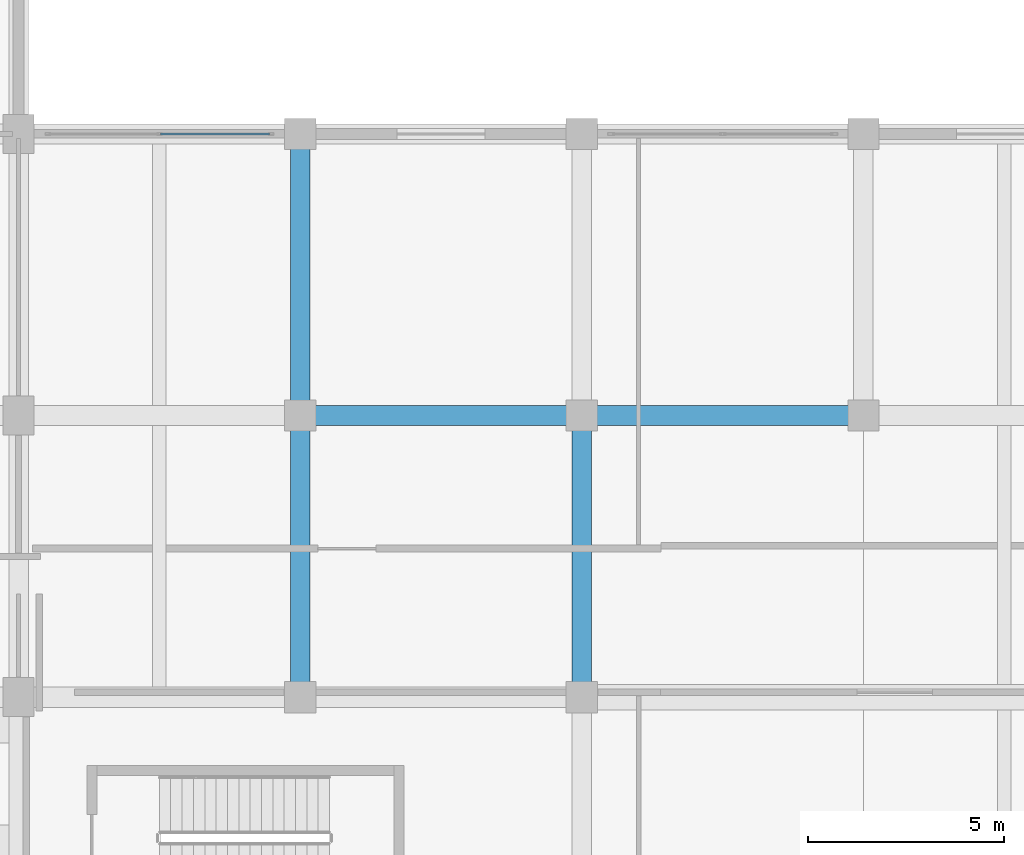
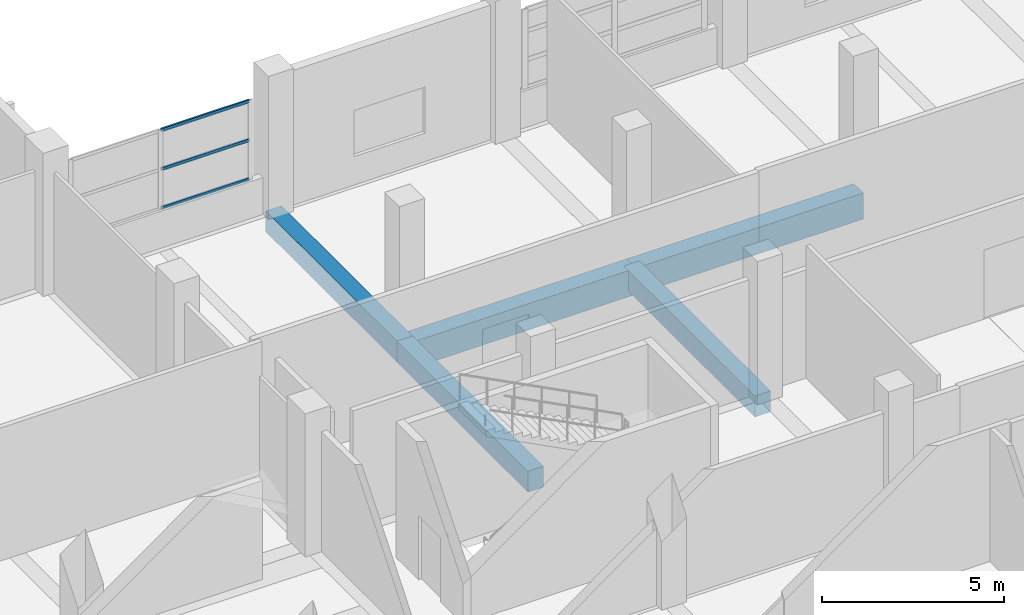
# One storey, part 13 of 140: 5 beams, 3 members, 1 element without a shape of its own.
"""IFC4 building model written with IfcOpenShell, lengths in metres."""

from ifc_helpers import new_model, si_unit, direction, frame, origin, origin_2d, place, context, subcontext, project, spatial, rectangle, hollow_rectangle, extrude, material, layer, layer_set, material_profile, profile_set, type_object, element, aggregate, save


model = new_model("IFC4")

# Units and contexts
model_context = context("Model", 3, precision=1e-05, world=origin(), true_north=direction((0.0, 1.0)))
body_context = subcontext(model_context, "Body", "Model", "MODEL_VIEW")
ifc_project = project(units=[si_unit("LENGTHUNIT", "METRE"), si_unit("AREAUNIT", "SQUARE_METRE"), si_unit("VOLUMEUNIT", "CUBIC_METRE"), si_unit("PLANEANGLEUNIT", "RADIAN"), si_unit("MASSUNIT", "GRAM", prefix="KILO")], contexts=[model_context])

# Site, building, storey
site_placement = place(None, origin())
site = spatial("IfcSite", under=ifc_project, at=site_placement, CompositionType="ELEMENT")
building_placement = place(site_placement, origin())
building = spatial("IfcBuilding", under=site, at=building_placement, Name="Seraya Terrace Polytechnic", CompositionType="ELEMENT")
storey_placement = place(building_placement, frame((0.0, 0.0, 9.60009765625)))
storey = spatial("IfcBuildingStorey", under=building, at=storey_placement, Name="L02", CompositionType="ELEMENT", Elevation=9.60009765625)

# Beams
ifc_material_1 = material(Name="Concrete C40/50", Category="concrete")
ifc_material_profile_1 = material_profile(ifc_material_1, rectangle(XDim=0.52001953125, YDim=0.8798828125, at=origin_2d()), Name="RC 520x880")
ifc_profile_set_1 = profile_set([ifc_material_profile_1], Name="Concrete C40/50")
beam_type_1 = type_object("IfcBeamType", Name="BM-04", PredefinedType="BEAM", material=ifc_profile_set_1)
beam_1_placement = place(storey_placement, frame((50.39990234375, 21.60009765625, -0.440185546875), z_axis=(1.0, 0.0, 0.0), x_axis=(0.0, 1.0, 0.0)))
element("IfcBeam", 1, at=beam_1_placement, inside=storey, type_object=beam_type_1, Name="Beam BM-04 L02 X (50.4..57.6, 21.6)", PredefinedType="BEAM", context=body_context, shape_type="SweptSolid", body=[
    extrude(rectangle(XDim=0.52001953125, YDim=0.8798828125, at=origin_2d()), origin(), (0.0, 0.0, 1.0), 7.2001953125),
])
beam_2_placement = place(storey_placement, frame((57.60009765625, 21.60009765625, -0.440185546875), z_axis=(1.0, 0.0, 0.0), x_axis=(0.0, 1.0, 0.0)))
element("IfcBeam", 2, at=beam_2_placement, inside=storey, type_object=beam_type_1, Name="Beam BM-04 L02 X (57.6..64.8, 21.6)", PredefinedType="BEAM", context=body_context, shape_type="SweptSolid", body=[
    extrude(rectangle(XDim=0.52001953125, YDim=0.8798828125, at=origin_2d()), origin(), (0.0, 0.0, 1.0), 7.199951171875),
])
ifc_material_profile_2 = material_profile(ifc_material_1, rectangle(XDim=0.5, YDim=0.699951171875, at=origin_2d()), Name="RC 500x700")
ifc_profile_set_2 = profile_set([ifc_material_profile_2], Name="Concrete C40/50")
beam_type_2 = type_object("IfcBeamType", Name="BM-07", PredefinedType="BEAM", material=ifc_profile_set_2)
beam_3_placement = place(storey_placement, frame((50.39990234375, 14.39990234375, -0.35009765625), z_axis=(0.0, 1.0, 0.0), x_axis=(-1.0, 0.0, 0.0)))
element("IfcBeam", 3, at=beam_3_placement, inside=storey, type_object=beam_type_2, Name="Beam BM-07 L02 Y (50.4, 14.4..21.6)", PredefinedType="BEAM", context=body_context, shape_type="SweptSolid", body=[
    extrude(rectangle(XDim=0.5, YDim=0.699951171875, at=origin_2d()), origin(), (0.0, 0.0, 1.0), 7.2001953125),
])
beam_4_placement = place(storey_placement, frame((50.39990234375, 21.60009765625, -0.35009765625), z_axis=(0.0, 1.0, 0.0), x_axis=(-1.0, 0.0, 0.0)))
element("IfcBeam", 4, at=beam_4_placement, inside=storey, type_object=beam_type_2, Name="Beam BM-07 L02 Y (50.4, 21.6..28.8)", PredefinedType="BEAM", context=body_context, shape_type="SweptSolid", body=[
    extrude(rectangle(XDim=0.5, YDim=0.699951171875, at=origin_2d()), origin(), (0.0, 0.0, 1.0), 7.199951171875),
])
beam_5_placement = place(storey_placement, frame((57.60009765625, 14.39990234375, -0.35009765625), z_axis=(0.0, 1.0, 0.0), x_axis=(-1.0, 0.0, 0.0)))
element("IfcBeam", 5, at=beam_5_placement, inside=storey, type_object=beam_type_2, Name="Beam BM-07 L02 Y (57.6, 14.4..21.6)", PredefinedType="BEAM", context=body_context, shape_type="SweptSolid", body=[
    extrude(rectangle(XDim=0.5, YDim=0.699951171875, at=origin_2d()), origin(), (0.0, 0.0, 1.0), 7.2001953125),
])

# Curtain wall, members
ifc_material_2 = material(Name="Anodised aluminium EN AW-6063 T6", Category="aluminium")
ifc_layer = layer(ifc_material_2, 0.179931640625, Name="CW-06")
ifc_layer_set = layer_set([ifc_layer], Name="Anodised aluminium EN AW-6063 T6")
curtain_wall_type = type_object("IfcCurtainWallType", Name="CW-06", PredefinedType="NOTDEFINED", material=ifc_layer_set)
curtain_wall_placement = place(storey_placement, origin())
curtain_wall = element("IfcCurtainWall", 6, at=curtain_wall_placement, inside=storey, type_object=curtain_wall_type, Name="Unitised curtain wall CW-06 (CW-L02-078)", PredefinedType="NOTDEFINED")
ifc_material_profile_3 = material_profile(ifc_material_2, hollow_rectangle(XDim=0.054931640625, YDim=0.10009765625, WallThickness=0.0029296875, at=origin_2d()), Name="RHS 100x55x3.0")
ifc_profile_set_3 = profile_set([ifc_material_profile_3], Name="Anodised aluminium EN AW-6063 T6")
member_type = type_object("IfcMemberType", Name="CWT-03", PredefinedType="USERDEFINED", material=ifc_profile_set_3)
member_1_placement = place(storey_placement, frame((46.830078125, 28.800048828125, 1.267333984375), z_axis=(1.0, 0.0, 0.0), x_axis=(0.0, 1.0, 0.0)))
member_1 = element("IfcMember", 7, at=member_1_placement, type_object=member_type, Name="CW-06 transom 2.1", ObjectType="TRANSOM", PredefinedType="USERDEFINED", context=body_context, shape_type="SweptSolid", body=[
    extrude(hollow_rectangle(XDim=0.054931640625, YDim=0.10009765625, WallThickness=0.0029296875, at=origin_2d()), origin(), (0.0, 0.0, 1.0), 2.7900390625),
])
member_2_placement = place(storey_placement, frame((46.830078125, 28.800048828125, 2.574951171875), z_axis=(1.0, 0.0, 0.0), x_axis=(0.0, 1.0, 0.0)))
member_2 = element("IfcMember", 8, at=member_2_placement, type_object=member_type, Name="CW-06 transom 2.2", ObjectType="TRANSOM", PredefinedType="USERDEFINED", context=body_context, shape_type="SweptSolid", body=[
    extrude(hollow_rectangle(XDim=0.054931640625, YDim=0.10009765625, WallThickness=0.0029296875, at=origin_2d()), origin(), (0.0, 0.0, 1.0), 2.7900390625),
])
member_3_placement = place(storey_placement, frame((46.830078125, 28.800048828125, 3.88232421875), z_axis=(1.0, 0.0, 0.0), x_axis=(0.0, 1.0, 0.0)))
member_3 = element("IfcMember", 9, at=member_3_placement, type_object=member_type, Name="CW-06 transom 2.3", ObjectType="TRANSOM", PredefinedType="USERDEFINED", context=body_context, shape_type="SweptSolid", body=[
    extrude(hollow_rectangle(XDim=0.054931640625, YDim=0.10009765625, WallThickness=0.0029296875, at=origin_2d()), origin(), (0.0, 0.0, 1.0), 2.7900390625),
])
aggregate(curtain_wall, [member_1, member_2, member_3])

save(model, "model.ifc")
